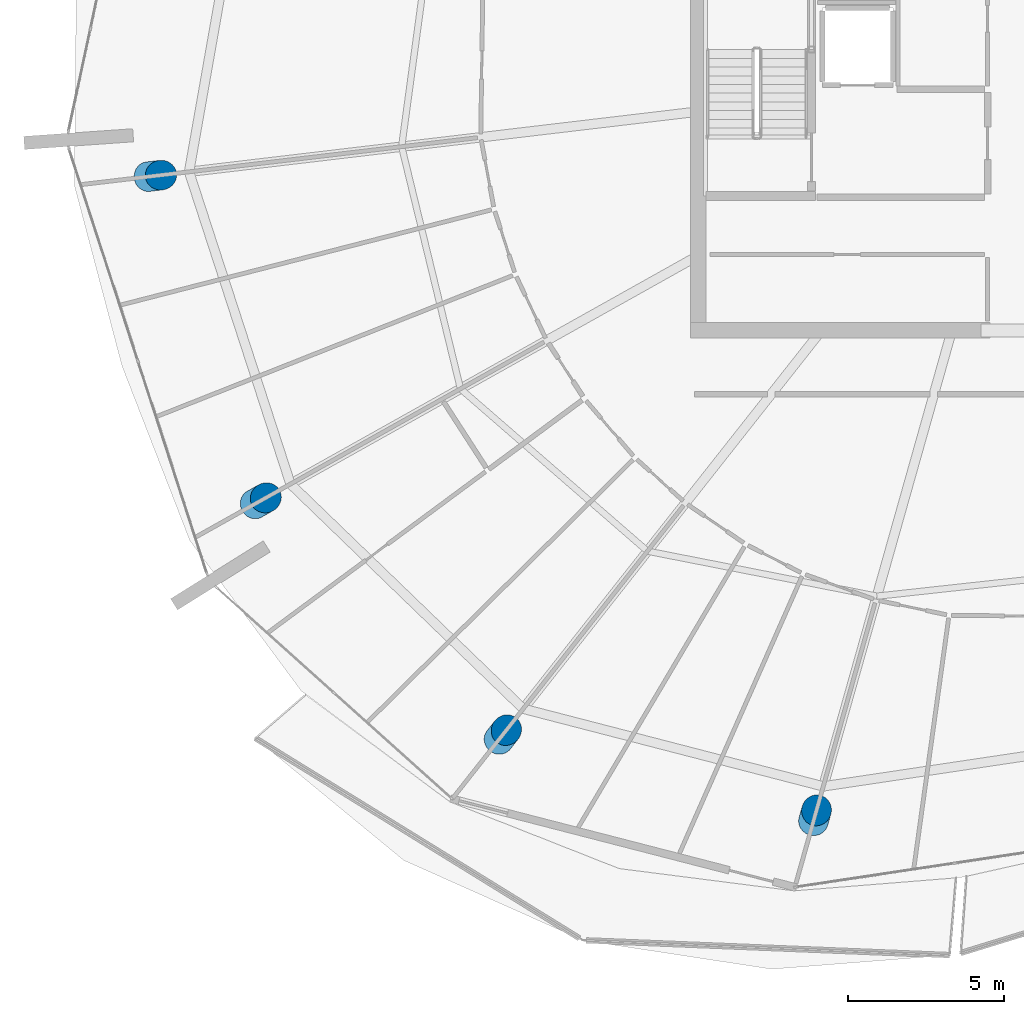
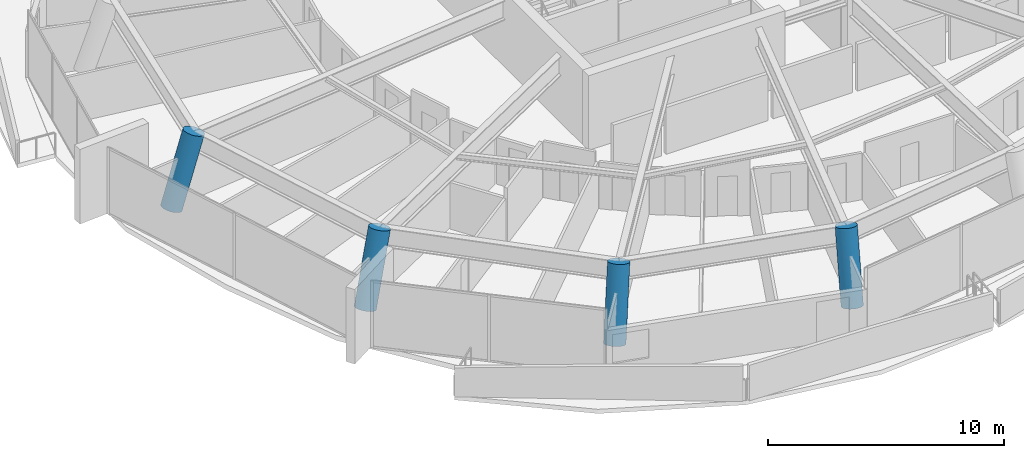
# One storey, part 1 of 30: 4 columns.
"""IFC4 building model written with IfcOpenShell, lengths in metres."""

from ifc_helpers import new_model, si_unit, direction, frame, origin, origin_2d, place, context, subcontext, project, spatial, circle, extrude, material, material_profile, profile_set, type_object, element, save


model = new_model("IFC4")

# Units and contexts
model_context = context("Model", 3, precision=1e-05, world=origin(), true_north=direction((0.0, 1.0)))
body_context = subcontext(model_context, "Body", "Model", "MODEL_VIEW")
ifc_project = project(units=[si_unit("LENGTHUNIT", "METRE"), si_unit("AREAUNIT", "SQUARE_METRE"), si_unit("VOLUMEUNIT", "CUBIC_METRE"), si_unit("PLANEANGLEUNIT", "RADIAN"), si_unit("MASSUNIT", "GRAM", prefix="KILO")], contexts=[model_context])

# Site, building, storey
site_placement = place(None, origin())
site = spatial("IfcSite", under=ifc_project, at=site_placement, CompositionType="ELEMENT")
building_placement = place(site_placement, origin())
building = spatial("IfcBuilding", under=site, at=building_placement, Name="Kazma Halo Residences", CompositionType="ELEMENT")
storey_placement = place(building_placement, frame((0.0, 0.0, 302.14990234375)))
storey = spatial("IfcBuildingStorey", under=building, at=storey_placement, Name="L76", CompositionType="ELEMENT", Elevation=302.14990234375)

# Columns
ifc_material = material(Name="Concrete C60/75", Category="concrete")
ifc_material_profile = material_profile(ifc_material, circle(Radius=0.47509765625, at=origin_2d()), Name="CIRC950")
ifc_profile_set = profile_set([ifc_material_profile], Name="Concrete C60/75")
column_type = type_object("IfcColumnType", Name="COL-PERIM-950", PredefinedType="COLUMN", material=ifc_profile_set)
for number, where, z_axis, x_axis, name in (
    (1, (19.92041015625, 38.676513671875, 0.0), (0.321796334521, 0.038090724848, 0.946042396391), (-0.117548410709, 0.993067153389, 0.0), "L76 perimeter ring column P08"),
    (2, (23.32958984375, 28.18408203125, 0.0), (0.282704029818, 0.158322289965, 0.94605099441), (-0.488622242654, 0.872495446397, 0.0), "L76 perimeter ring column P09"),
):
    element("IfcColumn", number, at=place(storey_placement, frame(where, z_axis=z_axis, x_axis=x_axis)), inside=storey, type_object=column_type, Name=name, PredefinedType="COLUMN", context=body_context, shape_type="SweptSolid", body=[
        extrude(circle(Radius=0.47509765625, at=origin_2d()), origin(), (0.0, 0.0, 1.0), 3.64697265625),
    ])
column_1_placement = place(storey_placement, frame((31.15283203125, 20.62939453125, 0.0), z_axis=(0.193753641648, 0.245837953919, 0.949749033567), x_axis=(-0.78539361544, 0.618996663017, 0.0)))
element("IfcColumn", 3, at=column_1_placement, inside=storey, type_object=column_type, Name="L76 perimeter ring column P10", PredefinedType="COLUMN", context=body_context, shape_type="SweptSolid", body=[
    extrude(circle(Radius=0.47509765625, at=origin_2d()), origin(), (0.0, 0.0, 1.0), 3.6328125),
])
column_2_placement = place(storey_placement, frame((41.237060546875, 18.0205078125, 0.0), z_axis=(0.078380826243, 0.278024987813, 0.957370645168), x_axis=(-0.962482662074, 0.271343187139, 0.0)))
element("IfcColumn", 4, at=column_2_placement, inside=storey, type_object=column_type, Name="L76 perimeter ring column P11", PredefinedType="COLUMN", context=body_context, shape_type="SweptSolid", body=[
    extrude(circle(Radius=0.47509765625, at=origin_2d()), origin(), (0.0, 0.0, 1.0), 3.603759765625),
])

save(model, "model.ifc")
